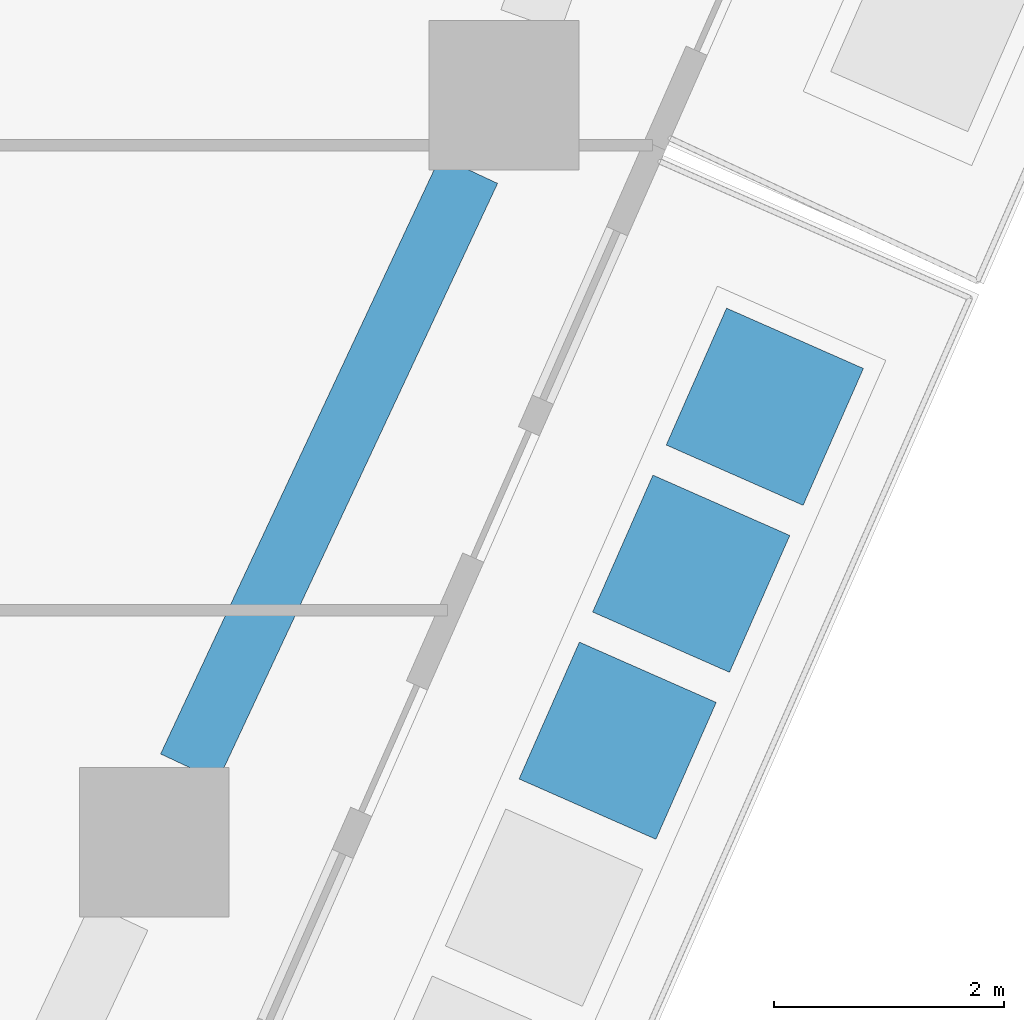
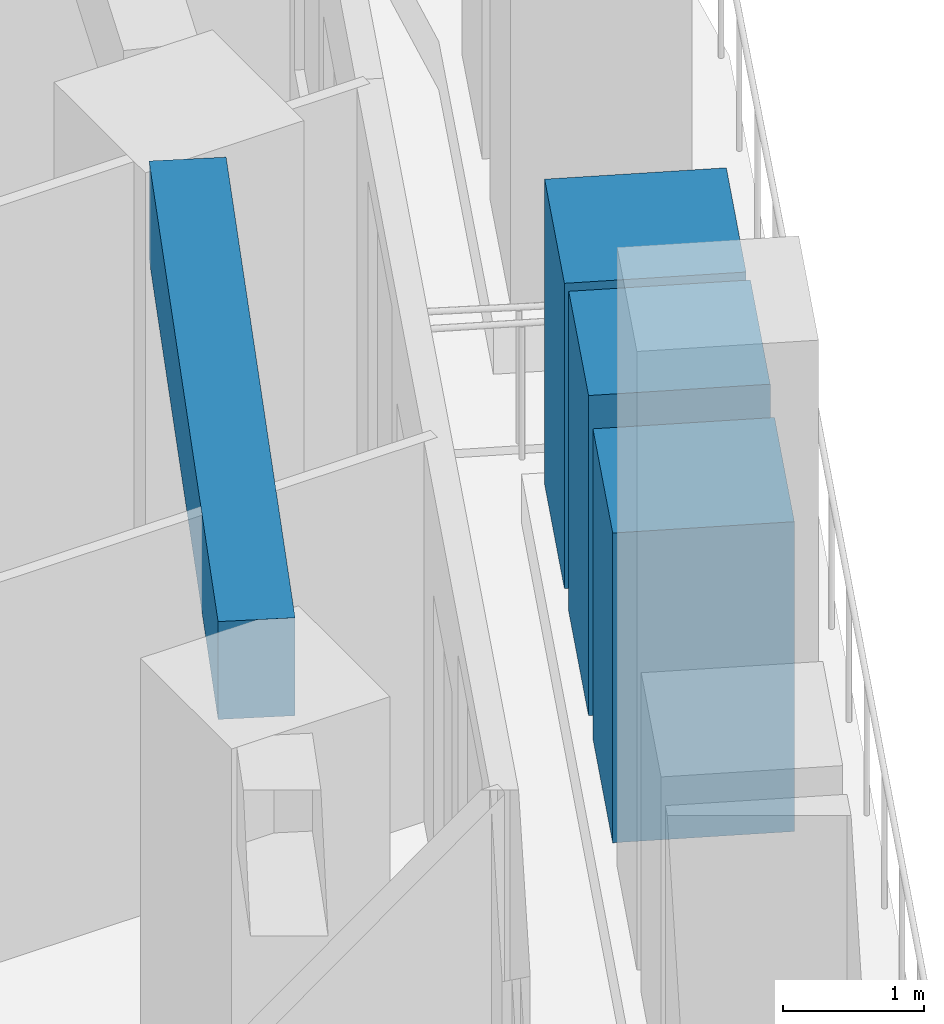
# One storey, part 5 of 24: 3 members, 1 beam.
"""IFC4 building model written with IfcOpenShell, lengths in metres."""

from ifc_helpers import new_model, si_unit, direction, frame, origin, origin_2d, place, context, subcontext, project, spatial, rectangle, extrude, material, material_profile, profile_set, type_object, element, save


model = new_model("IFC4")

# Units and contexts
model_context = context("Model", 3, precision=1e-05, world=origin(), true_north=direction((0.0, 1.0)))
body_context = subcontext(model_context, "Body", "Model", "MODEL_VIEW")
ifc_project = project(units=[si_unit("LENGTHUNIT", "METRE"), si_unit("AREAUNIT", "SQUARE_METRE"), si_unit("VOLUMEUNIT", "CUBIC_METRE"), si_unit("PLANEANGLEUNIT", "RADIAN"), si_unit("MASSUNIT", "GRAM", prefix="KILO")], contexts=[model_context])

# Site, building, storey
site_placement = place(None, origin())
site = spatial("IfcSite", under=ifc_project, at=site_placement, CompositionType="ELEMENT")
building_placement = place(site_placement, origin())
building = spatial("IfcBuilding", under=site, at=building_placement, Name="Dongbaek Canopy Tower", CompositionType="ELEMENT")
storey_placement = place(building_placement, frame((0.0, 0.0, 113.699951171875)))
storey = spatial("IfcBuildingStorey", under=building, at=storey_placement, Name="L24", CompositionType="ELEMENT", Elevation=113.699951171875)

# Beam
ifc_material_1 = material(Name="Concrete C80", Category="concrete")
ifc_material_profile_1 = material_profile(ifc_material_1, rectangle(XDim=0.550048828125, YDim=0.85009765625, at=origin_2d()), Name="RC EDGE BEAM 550x850 C80")
ifc_profile_set_1 = profile_set([ifc_material_profile_1], Name="Concrete C80")
beam_type = type_object("IfcBeamType", Name="RC EDGE BEAM 550x850 C80", PredefinedType="BEAM", material=ifc_profile_set_1)
beam_placement = place(storey_placement, frame((27.131591796875, -0.81494140625, 2.875), z_axis=(-0.424053070164, -0.90563734115, 0.0), x_axis=(0.90563734115, -0.424053070164, 0.0)))
element("IfcBeam", 1, at=beam_placement, inside=storey, type_object=beam_type, Name="EDGEBEAM:L24:22", PredefinedType="BEAM", context=body_context, shape_type="SweptSolid", body=[
    extrude(rectangle(XDim=0.550048828125, YDim=0.85009765625, at=origin_2d()), origin(), (0.0, 0.0, 1.0), 5.733154296875),
])

# Members
ifc_material_2 = material(Name="Concrete C40/50 planter mass with planting", Category="concrete")
ifc_material_profile_2 = material_profile(ifc_material_2, rectangle(XDim=1.300048828125, YDim=1.300048828125, at=origin_2d()), Name="Terrace PLANTER shrub mass 1300 x 1300")
ifc_profile_set_2 = profile_set([ifc_material_profile_2], Name="Concrete C40/50 planter mass with planting")
member_type = type_object("IfcMemberType", Name="Terrace PLANTER shrub mass 1300 x 1300", PredefinedType="USERDEFINED", material=ifc_profile_set_2)
member_1_placement = place(storey_placement, frame((28.423828125, -5.775146484375, 0.420166015625), z_axis=(0.0, 0.0, 1.0), x_axis=(0.915072764797, -0.403288773867, 0.0)))
element("IfcMember", 2, at=member_1_placement, inside=storey, type_object=member_type, Name="Planter shrubs L24 5.8", ObjectType="PLANTER", PredefinedType="USERDEFINED", context=body_context, shape_type="SweptSolid", body=[
    extrude(rectangle(XDim=1.300048828125, YDim=1.300048828125, at=origin_2d()), origin(), (0.0, 0.0, 1.0), 2.68994140625),
])
member_2_placement = place(storey_placement, frame((29.063232421875, -4.323974609375, 0.420166015625), z_axis=(0.0, 0.0, 1.0), x_axis=(0.915072764797, -0.403288773867, 0.0)))
element("IfcMember", 3, at=member_2_placement, inside=storey, type_object=member_type, Name="Planter shrubs L24 5.9", ObjectType="PLANTER", PredefinedType="USERDEFINED", context=body_context, shape_type="SweptSolid", body=[
    extrude(rectangle(XDim=1.300048828125, YDim=1.300048828125, at=origin_2d()), origin(), (0.0, 0.0, 1.0), 2.77978515625),
])
member_3_placement = place(storey_placement, frame((29.702880859375, -2.872802734375, 0.420166015625), z_axis=(0.0, 0.0, 1.0), x_axis=(0.915072764797, -0.403288773867, 0.0)))
element("IfcMember", 4, at=member_3_placement, inside=storey, type_object=member_type, Name="Planter shrubs L24 5.10", ObjectType="PLANTER", PredefinedType="USERDEFINED", context=body_context, shape_type="SweptSolid", body=[
    extrude(rectangle(XDim=1.300048828125, YDim=1.300048828125, at=origin_2d()), origin(), (0.0, 0.0, 1.0), 2.64990234375),
])

save(model, "model.ifc")
